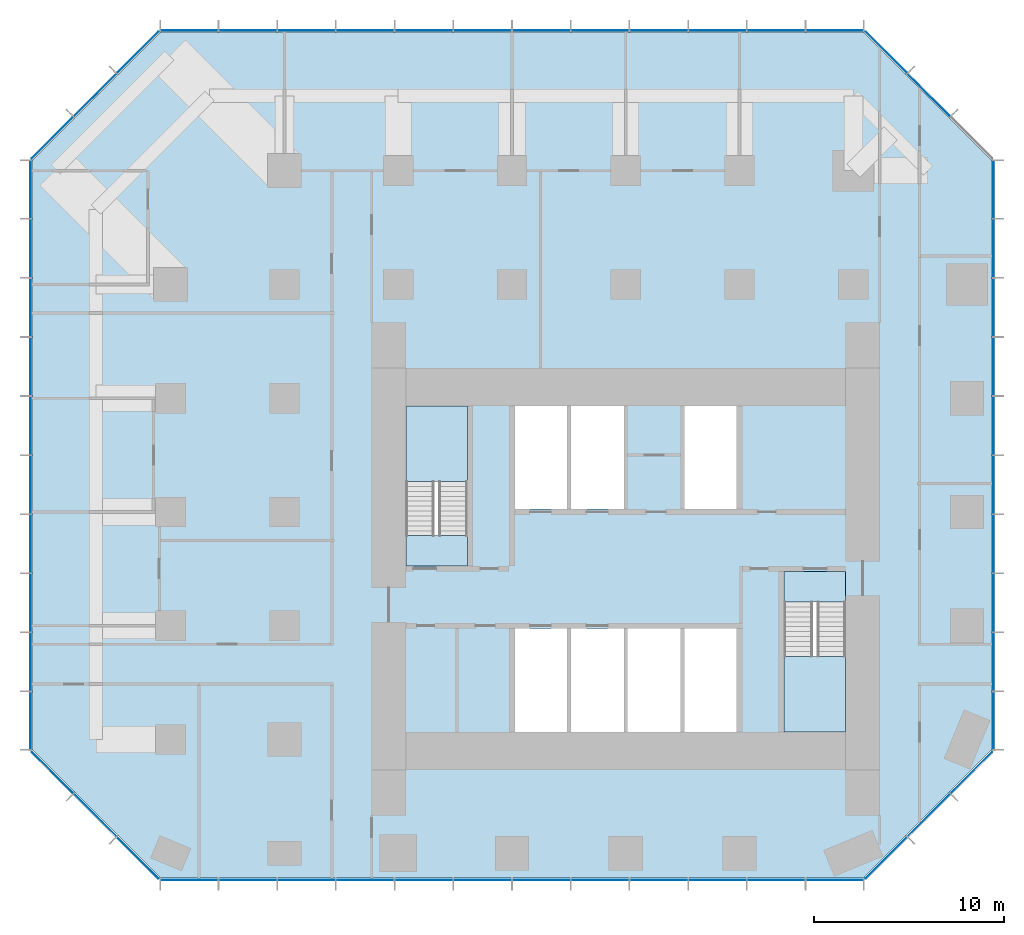
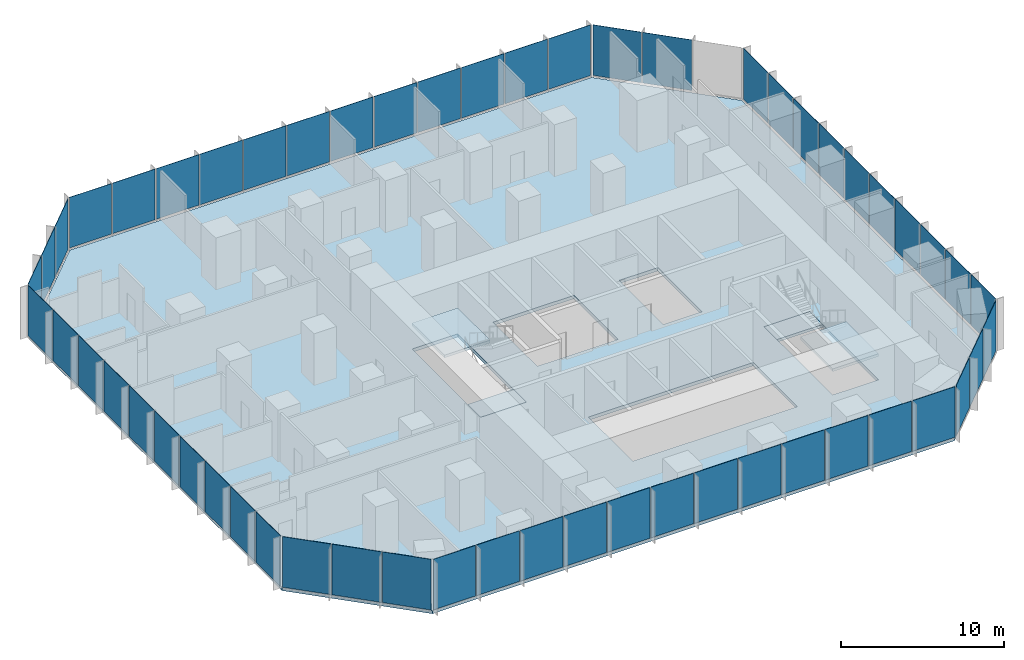
# One storey, part 7 of 11: 55 plates, 5 slabs, 10 elements without a shape of their own.
"""IFC4 building model written with IfcOpenShell, lengths in metres."""

from ifc_helpers import new_model, si_unit, direction, frame, origin, origin_2d, place, context, subcontext, project, spatial, polyline, rectangle, outline, extrude, material, layer, layer_set, type_object, element, aggregate, save


model = new_model("IFC4")

# Units and contexts
model_context = context("Model", 3, precision=1e-05, world=origin(), true_north=direction((0.0, 1.0)))
body_context = subcontext(model_context, "Body", "Model", "MODEL_VIEW")
ifc_project = project(units=[si_unit("LENGTHUNIT", "METRE"), si_unit("AREAUNIT", "SQUARE_METRE"), si_unit("VOLUMEUNIT", "CUBIC_METRE"), si_unit("PLANEANGLEUNIT", "RADIAN"), si_unit("MASSUNIT", "GRAM", prefix="KILO")], contexts=[model_context])

# Site, building, storey
site_placement = place(None, origin())
site = spatial("IfcSite", under=ifc_project, at=site_placement, CompositionType="ELEMENT")
building_placement = place(site_placement, origin())
building = spatial("IfcBuilding", under=site, at=building_placement, Name="Highveld Stack Headquarters", CompositionType="ELEMENT")
storey_placement = place(building_placement, frame((0.0, 0.0, 109.39990234375)))
storey = spatial("IfcBuildingStorey", under=building, at=storey_placement, Name="L26", CompositionType="ELEMENT", Elevation=109.39990234375)

# Curtain wall, plates
ifc_material_1 = material(Name="Aluminium bronze anodised", Category="aluminium")
ifc_layer_1 = layer(ifc_material_1, 0.199951171875)
ifc_layer_set_1 = layer_set([ifc_layer_1], Name="Aluminium bronze anodised")
curtain_wall_type_1 = type_object("IfcCurtainWallType", Name="CW1 TOWER UNITISED CURTAIN WALL", PredefinedType="NOTDEFINED", material=ifc_layer_set_1)
curtain_wall_1_placement = place(storey_placement, origin())
curtain_wall_1 = element("IfcCurtainWall", 1, at=curtain_wall_1_placement, inside=storey, type_object=curtain_wall_type_1, Name="Curtain wall CW1 L26 S", PredefinedType="NOTDEFINED")
ifc_material_2 = material(Name="Glass bronze tinted double glazed unit", Category="glass")
ifc_layer_2 = layer(ifc_material_2, 0.028076171875)
ifc_layer_set_2 = layer_set([ifc_layer_2], Name="Glass bronze tinted double glazed unit")
plate_type_1 = type_object("IfcPlateType", Name="CW1 PANEL BRONZE TINTED DOUBLE GLAZED UNIT", PredefinedType="CURTAIN_PANEL", material=ifc_layer_set_2)
plate_1_placement = place(storey_placement, frame((-17.015380859375, -13.39990234375, 0.10009765625), z_axis=(0.0, 0.0, 1.0), x_axis=(1.0, 0.0, 0.0)))
plate_1 = element("IfcPlate", 2, at=plate_1_placement, type_object=plate_type_1, Name="CW1 panel L26 1.1", PredefinedType="CURTAIN_PANEL", context=body_context, shape_type="SweptSolid", body=[
    extrude(rectangle(XDim=2.9990234375, YDim=0.028076171875, at=origin_2d()), origin(), (0.0, 0.0, 1.0), 3.800048828125),
])
plate_2_placement = place(storey_placement, frame((-13.934814453125, -13.39990234375, 0.10009765625), z_axis=(0.0, 0.0, 1.0), x_axis=(1.0, 0.0, 0.0)))
plate_2 = element("IfcPlate", 3, at=plate_2_placement, type_object=plate_type_1, Name="CW1 panel L26 2.1", PredefinedType="CURTAIN_PANEL", context=body_context, shape_type="SweptSolid", body=[
    extrude(rectangle(XDim=3.031494140625, YDim=0.028076171875, at=origin_2d()), origin(), (0.0, 0.0, 1.0), 3.800048828125),
])
plate_3_placement = place(storey_placement, frame((-10.83837890625, -13.39990234375, 0.10009765625), z_axis=(0.0, 0.0, 1.0), x_axis=(1.0, 0.0, 0.0)))
plate_3 = element("IfcPlate", 4, at=plate_3_placement, type_object=plate_type_1, Name="CW1 panel L26 3.1", PredefinedType="CURTAIN_PANEL", context=body_context, shape_type="SweptSolid", body=[
    extrude(rectangle(XDim=3.031494140625, YDim=0.028076171875, at=origin_2d()), origin(), (0.0, 0.0, 1.0), 3.800048828125),
])
plate_4_placement = place(storey_placement, frame((-7.74169921875, -13.39990234375, 0.10009765625), z_axis=(0.0, 0.0, 1.0), x_axis=(1.0, 0.0, 0.0)))
plate_4 = element("IfcPlate", 5, at=plate_4_placement, type_object=plate_type_1, Name="CW1 panel L26 4.1", PredefinedType="CURTAIN_PANEL", context=body_context, shape_type="SweptSolid", body=[
    extrude(rectangle(XDim=3.031494140625, YDim=0.028076171875, at=origin_2d()), origin(), (0.0, 0.0, 1.0), 3.800048828125),
])
plate_5_placement = place(storey_placement, frame((-4.64501953125, -13.39990234375, 0.10009765625), z_axis=(0.0, 0.0, 1.0), x_axis=(1.0, 0.0, 0.0)))
plate_5 = element("IfcPlate", 6, at=plate_5_placement, type_object=plate_type_1, Name="CW1 panel L26 5.1", PredefinedType="CURTAIN_PANEL", context=body_context, shape_type="SweptSolid", body=[
    extrude(rectangle(XDim=3.031494140625, YDim=0.028076171875, at=origin_2d()), origin(), (0.0, 0.0, 1.0), 3.800048828125),
])
plate_6_placement = place(storey_placement, frame((-1.54833984375, -13.39990234375, 0.10009765625), z_axis=(0.0, 0.0, 1.0), x_axis=(1.0, 0.0, 0.0)))
plate_6 = element("IfcPlate", 7, at=plate_6_placement, type_object=plate_type_1, Name="CW1 panel L26 6.1", PredefinedType="CURTAIN_PANEL", context=body_context, shape_type="SweptSolid", body=[
    extrude(rectangle(XDim=3.031494140625, YDim=0.028076171875, at=origin_2d()), origin(), (0.0, 0.0, 1.0), 3.800048828125),
])
plate_7_placement = place(storey_placement, frame((1.54833984375, -13.39990234375, 0.10009765625), z_axis=(0.0, 0.0, 1.0), x_axis=(1.0, 0.0, 0.0)))
plate_7 = element("IfcPlate", 8, at=plate_7_placement, type_object=plate_type_1, Name="CW1 panel L26 7.1", PredefinedType="CURTAIN_PANEL", context=body_context, shape_type="SweptSolid", body=[
    extrude(rectangle(XDim=3.03173828125, YDim=0.028076171875, at=origin_2d()), origin(), (0.0, 0.0, 1.0), 3.800048828125),
])
plate_8_placement = place(storey_placement, frame((4.64501953125, -13.39990234375, 0.10009765625), z_axis=(0.0, 0.0, 1.0), x_axis=(1.0, 0.0, 0.0)))
plate_8 = element("IfcPlate", 9, at=plate_8_placement, type_object=plate_type_1, Name="CW1 panel L26 8.1", PredefinedType="CURTAIN_PANEL", context=body_context, shape_type="SweptSolid", body=[
    extrude(rectangle(XDim=3.03173828125, YDim=0.028076171875, at=origin_2d()), origin(), (0.0, 0.0, 1.0), 3.800048828125),
])
plate_9_placement = place(storey_placement, frame((7.74169921875, -13.39990234375, 0.10009765625), z_axis=(0.0, 0.0, 1.0), x_axis=(1.0, 0.0, 0.0)))
plate_9 = element("IfcPlate", 10, at=plate_9_placement, type_object=plate_type_1, Name="CW1 panel L26 9.1", PredefinedType="CURTAIN_PANEL", context=body_context, shape_type="SweptSolid", body=[
    extrude(rectangle(XDim=3.03173828125, YDim=0.028076171875, at=origin_2d()), origin(), (0.0, 0.0, 1.0), 3.800048828125),
])
plate_10_placement = place(storey_placement, frame((10.83837890625, -13.39990234375, 0.10009765625), z_axis=(0.0, 0.0, 1.0), x_axis=(1.0, 0.0, 0.0)))
plate_10 = element("IfcPlate", 11, at=plate_10_placement, type_object=plate_type_1, Name="CW1 panel L26 10.1", PredefinedType="CURTAIN_PANEL", context=body_context, shape_type="SweptSolid", body=[
    extrude(rectangle(XDim=3.03173828125, YDim=0.028076171875, at=origin_2d()), origin(), (0.0, 0.0, 1.0), 3.800048828125),
])
plate_11_placement = place(storey_placement, frame((13.934814453125, -13.39990234375, 0.10009765625), z_axis=(0.0, 0.0, 1.0), x_axis=(1.0, 0.0, 0.0)))
plate_11 = element("IfcPlate", 12, at=plate_11_placement, type_object=plate_type_1, Name="CW1 panel L26 11.1", PredefinedType="CURTAIN_PANEL", context=body_context, shape_type="SweptSolid", body=[
    extrude(rectangle(XDim=3.03173828125, YDim=0.028076171875, at=origin_2d()), origin(), (0.0, 0.0, 1.0), 3.800048828125),
])
plate_12_placement = place(storey_placement, frame((17.015380859375, -13.39990234375, 0.10009765625), z_axis=(0.0, 0.0, 1.0), x_axis=(1.0, 0.0, 0.0)))
plate_12 = element("IfcPlate", 13, at=plate_12_placement, type_object=plate_type_1, Name="CW1 panel L26 12.1", PredefinedType="CURTAIN_PANEL", context=body_context, shape_type="SweptSolid", body=[
    extrude(rectangle(XDim=2.999267578125, YDim=0.028076171875, at=origin_2d()), origin(), (0.0, 0.0, 1.0), 3.800048828125),
])
aggregate(curtain_wall_1, [plate_1, plate_2, plate_3, plate_4, plate_5, plate_6, plate_7, plate_8, plate_9, plate_10, plate_11, plate_12])

curtain_wall_2_placement = place(storey_placement, origin())
curtain_wall_2 = element("IfcCurtainWall", 14, at=curtain_wall_2_placement, inside=storey, type_object=curtain_wall_type_1, Name="Curtain wall CW1 L26 E", PredefinedType="NOTDEFINED")
plate_13_placement = place(storey_placement, frame((25.39990234375, -5.005615234375, 0.10009765625), z_axis=(0.0, 0.0, 1.0), x_axis=(0.0, 1.0, 0.0)))
plate_13 = element("IfcPlate", 15, at=plate_13_placement, type_object=plate_type_1, Name="CW1 panel L26 1.1", PredefinedType="CURTAIN_PANEL", context=body_context, shape_type="SweptSolid", body=[
    extrude(rectangle(XDim=3.0185546875, YDim=0.028076171875, at=origin_2d()), origin(), (0.0, 0.0, 1.0), 3.800048828125),
])
plate_14_placement = place(storey_placement, frame((25.39990234375, -1.906005859375, 0.10009765625), z_axis=(0.0, 0.0, 1.0), x_axis=(0.0, 1.0, 0.0)))
plate_14 = element("IfcPlate", 16, at=plate_14_placement, type_object=plate_type_1, Name="CW1 panel L26 2.1", PredefinedType="CURTAIN_PANEL", context=body_context, shape_type="SweptSolid", body=[
    extrude(rectangle(XDim=3.051025390625, YDim=0.028076171875, at=origin_2d()), origin(), (0.0, 0.0, 1.0), 3.800048828125),
])
plate_15_placement = place(storey_placement, frame((25.39990234375, 1.2099609375, 0.10009765625), z_axis=(0.0, 0.0, 1.0), x_axis=(0.0, 1.0, 0.0)))
plate_15 = element("IfcPlate", 17, at=plate_15_placement, type_object=plate_type_1, Name="CW1 panel L26 3.1", PredefinedType="CURTAIN_PANEL", context=body_context, shape_type="SweptSolid", body=[
    extrude(rectangle(XDim=3.051025390625, YDim=0.028076171875, at=origin_2d()), origin(), (0.0, 0.0, 1.0), 3.800048828125),
])
plate_16_placement = place(storey_placement, frame((25.39990234375, 4.325927734375, 0.10009765625), z_axis=(0.0, 0.0, 1.0), x_axis=(0.0, 1.0, 0.0)))
plate_16 = element("IfcPlate", 18, at=plate_16_placement, type_object=plate_type_1, Name="CW1 panel L26 4.1", PredefinedType="CURTAIN_PANEL", context=body_context, shape_type="SweptSolid", body=[
    extrude(rectangle(XDim=3.051025390625, YDim=0.028076171875, at=origin_2d()), origin(), (0.0, 0.0, 1.0), 3.800048828125),
])
plate_17_placement = place(storey_placement, frame((25.39990234375, 7.44189453125, 0.10009765625), z_axis=(0.0, 0.0, 1.0), x_axis=(0.0, 1.0, 0.0)))
plate_17 = element("IfcPlate", 19, at=plate_17_placement, type_object=plate_type_1, Name="CW1 panel L26 5.1", PredefinedType="CURTAIN_PANEL", context=body_context, shape_type="SweptSolid", body=[
    extrude(rectangle(XDim=3.051025390625, YDim=0.028076171875, at=origin_2d()), origin(), (0.0, 0.0, 1.0), 3.800048828125),
])
plate_18_placement = place(storey_placement, frame((25.39990234375, 10.55810546875, 0.10009765625), z_axis=(0.0, 0.0, 1.0), x_axis=(0.0, 1.0, 0.0)))
plate_18 = element("IfcPlate", 20, at=plate_18_placement, type_object=plate_type_1, Name="CW1 panel L26 6.1", PredefinedType="CURTAIN_PANEL", context=body_context, shape_type="SweptSolid", body=[
    extrude(rectangle(XDim=3.051025390625, YDim=0.028076171875, at=origin_2d()), origin(), (0.0, 0.0, 1.0), 3.800048828125),
])
plate_19_placement = place(storey_placement, frame((25.39990234375, 13.674072265625, 0.10009765625), z_axis=(0.0, 0.0, 1.0), x_axis=(0.0, 1.0, 0.0)))
plate_19 = element("IfcPlate", 21, at=plate_19_placement, type_object=plate_type_1, Name="CW1 panel L26 7.1", PredefinedType="CURTAIN_PANEL", context=body_context, shape_type="SweptSolid", body=[
    extrude(rectangle(XDim=3.051025390625, YDim=0.028076171875, at=origin_2d()), origin(), (0.0, 0.0, 1.0), 3.800048828125),
])
plate_20_placement = place(storey_placement, frame((25.39990234375, 16.789794921875, 0.10009765625), z_axis=(0.0, 0.0, 1.0), x_axis=(0.0, 1.0, 0.0)))
plate_20 = element("IfcPlate", 22, at=plate_20_placement, type_object=plate_type_1, Name="CW1 panel L26 8.1", PredefinedType="CURTAIN_PANEL", context=body_context, shape_type="SweptSolid", body=[
    extrude(rectangle(XDim=3.051025390625, YDim=0.028076171875, at=origin_2d()), origin(), (0.0, 0.0, 1.0), 3.800048828125),
])
plate_21_placement = place(storey_placement, frame((25.39990234375, 19.906005859375, 0.10009765625), z_axis=(0.0, 0.0, 1.0), x_axis=(0.0, 1.0, 0.0)))
plate_21 = element("IfcPlate", 23, at=plate_21_placement, type_object=plate_type_1, Name="CW1 panel L26 9.1", PredefinedType="CURTAIN_PANEL", context=body_context, shape_type="SweptSolid", body=[
    extrude(rectangle(XDim=3.051025390625, YDim=0.028076171875, at=origin_2d()), origin(), (0.0, 0.0, 1.0), 3.800048828125),
])
plate_22_placement = place(storey_placement, frame((25.39990234375, 23.005615234375, 0.10009765625), z_axis=(0.0, 0.0, 1.0), x_axis=(0.0, 1.0, 0.0)))
plate_22 = element("IfcPlate", 24, at=plate_22_placement, type_object=plate_type_1, Name="CW1 panel L26 10.1", PredefinedType="CURTAIN_PANEL", context=body_context, shape_type="SweptSolid", body=[
    extrude(rectangle(XDim=3.0185546875, YDim=0.028076171875, at=origin_2d()), origin(), (0.0, 0.0, 1.0), 3.800048828125),
])
aggregate(curtain_wall_2, [plate_13, plate_14, plate_15, plate_16, plate_17, plate_18, plate_19, plate_20, plate_21, plate_22])

curtain_wall_3_placement = place(storey_placement, origin())
curtain_wall_3 = element("IfcCurtainWall", 25, at=curtain_wall_3_placement, inside=storey, type_object=curtain_wall_type_1, Name="Curtain wall CW1 L26 N", PredefinedType="NOTDEFINED")
plate_23_placement = place(storey_placement, frame((17.015380859375, 31.39990234375, 0.10009765625), z_axis=(0.0, 0.0, 1.0), x_axis=(-1.0, 0.0, 0.0)))
plate_23 = element("IfcPlate", 26, at=plate_23_placement, type_object=plate_type_1, Name="CW1 panel L26 1.1", PredefinedType="CURTAIN_PANEL", context=body_context, shape_type="SweptSolid", body=[
    extrude(rectangle(XDim=2.9990234375, YDim=0.028076171875, at=origin_2d()), origin(), (0.0, 0.0, 1.0), 3.800048828125),
])
plate_24_placement = place(storey_placement, frame((13.934814453125, 31.39990234375, 0.10009765625), z_axis=(0.0, 0.0, 1.0), x_axis=(-1.0, 0.0, 0.0)))
plate_24 = element("IfcPlate", 27, at=plate_24_placement, type_object=plate_type_1, Name="CW1 panel L26 2.1", PredefinedType="CURTAIN_PANEL", context=body_context, shape_type="SweptSolid", body=[
    extrude(rectangle(XDim=3.031494140625, YDim=0.028076171875, at=origin_2d()), origin(), (0.0, 0.0, 1.0), 3.800048828125),
])
plate_25_placement = place(storey_placement, frame((10.83837890625, 31.39990234375, 0.10009765625), z_axis=(0.0, 0.0, 1.0), x_axis=(-1.0, 0.0, 0.0)))
plate_25 = element("IfcPlate", 28, at=plate_25_placement, type_object=plate_type_1, Name="CW1 panel L26 3.1", PredefinedType="CURTAIN_PANEL", context=body_context, shape_type="SweptSolid", body=[
    extrude(rectangle(XDim=3.031494140625, YDim=0.028076171875, at=origin_2d()), origin(), (0.0, 0.0, 1.0), 3.800048828125),
])
plate_26_placement = place(storey_placement, frame((7.74169921875, 31.39990234375, 0.10009765625), z_axis=(0.0, 0.0, 1.0), x_axis=(-1.0, 0.0, 0.0)))
plate_26 = element("IfcPlate", 29, at=plate_26_placement, type_object=plate_type_1, Name="CW1 panel L26 4.1", PredefinedType="CURTAIN_PANEL", context=body_context, shape_type="SweptSolid", body=[
    extrude(rectangle(XDim=3.031494140625, YDim=0.028076171875, at=origin_2d()), origin(), (0.0, 0.0, 1.0), 3.800048828125),
])
plate_27_placement = place(storey_placement, frame((4.64501953125, 31.39990234375, 0.10009765625), z_axis=(0.0, 0.0, 1.0), x_axis=(-1.0, 0.0, 0.0)))
plate_27 = element("IfcPlate", 30, at=plate_27_placement, type_object=plate_type_1, Name="CW1 panel L26 5.1", PredefinedType="CURTAIN_PANEL", context=body_context, shape_type="SweptSolid", body=[
    extrude(rectangle(XDim=3.031494140625, YDim=0.028076171875, at=origin_2d()), origin(), (0.0, 0.0, 1.0), 3.800048828125),
])
plate_28_placement = place(storey_placement, frame((1.54833984375, 31.39990234375, 0.10009765625), z_axis=(0.0, 0.0, 1.0), x_axis=(-1.0, 0.0, 0.0)))
plate_28 = element("IfcPlate", 31, at=plate_28_placement, type_object=plate_type_1, Name="CW1 panel L26 6.1", PredefinedType="CURTAIN_PANEL", context=body_context, shape_type="SweptSolid", body=[
    extrude(rectangle(XDim=3.031494140625, YDim=0.028076171875, at=origin_2d()), origin(), (0.0, 0.0, 1.0), 3.800048828125),
])
plate_29_placement = place(storey_placement, frame((-1.54833984375, 31.39990234375, 0.10009765625), z_axis=(0.0, 0.0, 1.0), x_axis=(-1.0, 0.0, 0.0)))
plate_29 = element("IfcPlate", 32, at=plate_29_placement, type_object=plate_type_1, Name="CW1 panel L26 7.1", PredefinedType="CURTAIN_PANEL", context=body_context, shape_type="SweptSolid", body=[
    extrude(rectangle(XDim=3.03173828125, YDim=0.028076171875, at=origin_2d()), origin(), (0.0, 0.0, 1.0), 3.800048828125),
])
plate_30_placement = place(storey_placement, frame((-4.64501953125, 31.39990234375, 0.10009765625), z_axis=(0.0, 0.0, 1.0), x_axis=(-1.0, 0.0, 0.0)))
plate_30 = element("IfcPlate", 33, at=plate_30_placement, type_object=plate_type_1, Name="CW1 panel L26 8.1", PredefinedType="CURTAIN_PANEL", context=body_context, shape_type="SweptSolid", body=[
    extrude(rectangle(XDim=3.03173828125, YDim=0.028076171875, at=origin_2d()), origin(), (0.0, 0.0, 1.0), 3.800048828125),
])
plate_31_placement = place(storey_placement, frame((-7.74169921875, 31.39990234375, 0.10009765625), z_axis=(0.0, 0.0, 1.0), x_axis=(-1.0, 0.0, 0.0)))
plate_31 = element("IfcPlate", 34, at=plate_31_placement, type_object=plate_type_1, Name="CW1 panel L26 9.1", PredefinedType="CURTAIN_PANEL", context=body_context, shape_type="SweptSolid", body=[
    extrude(rectangle(XDim=3.03173828125, YDim=0.028076171875, at=origin_2d()), origin(), (0.0, 0.0, 1.0), 3.800048828125),
])
plate_32_placement = place(storey_placement, frame((-10.83837890625, 31.39990234375, 0.10009765625), z_axis=(0.0, 0.0, 1.0), x_axis=(-1.0, 0.0, 0.0)))
plate_32 = element("IfcPlate", 35, at=plate_32_placement, type_object=plate_type_1, Name="CW1 panel L26 10.1", PredefinedType="CURTAIN_PANEL", context=body_context, shape_type="SweptSolid", body=[
    extrude(rectangle(XDim=3.03173828125, YDim=0.028076171875, at=origin_2d()), origin(), (0.0, 0.0, 1.0), 3.800048828125),
])
plate_33_placement = place(storey_placement, frame((-13.934814453125, 31.39990234375, 0.10009765625), z_axis=(0.0, 0.0, 1.0), x_axis=(-1.0, 0.0, 0.0)))
plate_33 = element("IfcPlate", 36, at=plate_33_placement, type_object=plate_type_1, Name="CW1 panel L26 11.1", PredefinedType="CURTAIN_PANEL", context=body_context, shape_type="SweptSolid", body=[
    extrude(rectangle(XDim=3.03173828125, YDim=0.028076171875, at=origin_2d()), origin(), (0.0, 0.0, 1.0), 3.800048828125),
])
plate_34_placement = place(storey_placement, frame((-17.015380859375, 31.39990234375, 0.10009765625), z_axis=(0.0, 0.0, 1.0), x_axis=(-1.0, 0.0, 0.0)))
plate_34 = element("IfcPlate", 37, at=plate_34_placement, type_object=plate_type_1, Name="CW1 panel L26 12.1", PredefinedType="CURTAIN_PANEL", context=body_context, shape_type="SweptSolid", body=[
    extrude(rectangle(XDim=2.999267578125, YDim=0.028076171875, at=origin_2d()), origin(), (0.0, 0.0, 1.0), 3.800048828125),
])
aggregate(curtain_wall_3, [plate_23, plate_24, plate_25, plate_26, plate_27, plate_28, plate_29, plate_30, plate_31, plate_32, plate_33, plate_34])

curtain_wall_4_placement = place(storey_placement, origin())
curtain_wall_4 = element("IfcCurtainWall", 38, at=curtain_wall_4_placement, inside=storey, type_object=curtain_wall_type_1, Name="Curtain wall CW1 L26 W", PredefinedType="NOTDEFINED")
plate_35_placement = place(storey_placement, frame((-25.39990234375, 23.005615234375, 0.10009765625), z_axis=(0.0, 0.0, 1.0), x_axis=(0.0, -1.0, 0.0)))
plate_35 = element("IfcPlate", 39, at=plate_35_placement, type_object=plate_type_1, Name="CW1 panel L26 1.1", PredefinedType="CURTAIN_PANEL", context=body_context, shape_type="SweptSolid", body=[
    extrude(rectangle(XDim=3.0185546875, YDim=0.028076171875, at=origin_2d()), origin(), (0.0, 0.0, 1.0), 3.800048828125),
])
plate_36_placement = place(storey_placement, frame((-25.39990234375, 19.906005859375, 0.10009765625), z_axis=(0.0, 0.0, 1.0), x_axis=(0.0, -1.0, 0.0)))
plate_36 = element("IfcPlate", 40, at=plate_36_placement, type_object=plate_type_1, Name="CW1 panel L26 2.1", PredefinedType="CURTAIN_PANEL", context=body_context, shape_type="SweptSolid", body=[
    extrude(rectangle(XDim=3.051025390625, YDim=0.028076171875, at=origin_2d()), origin(), (0.0, 0.0, 1.0), 3.800048828125),
])
plate_37_placement = place(storey_placement, frame((-25.39990234375, 16.7900390625, 0.10009765625), z_axis=(0.0, 0.0, 1.0), x_axis=(0.0, -1.0, 0.0)))
plate_37 = element("IfcPlate", 41, at=plate_37_placement, type_object=plate_type_1, Name="CW1 panel L26 3.1", PredefinedType="CURTAIN_PANEL", context=body_context, shape_type="SweptSolid", body=[
    extrude(rectangle(XDim=3.051025390625, YDim=0.028076171875, at=origin_2d()), origin(), (0.0, 0.0, 1.0), 3.800048828125),
])
plate_38_placement = place(storey_placement, frame((-25.39990234375, 13.674072265625, 0.10009765625), z_axis=(0.0, 0.0, 1.0), x_axis=(0.0, -1.0, 0.0)))
plate_38 = element("IfcPlate", 42, at=plate_38_placement, type_object=plate_type_1, Name="CW1 panel L26 4.1", PredefinedType="CURTAIN_PANEL", context=body_context, shape_type="SweptSolid", body=[
    extrude(rectangle(XDim=3.051025390625, YDim=0.028076171875, at=origin_2d()), origin(), (0.0, 0.0, 1.0), 3.800048828125),
])
plate_39_placement = place(storey_placement, frame((-25.39990234375, 10.55810546875, 0.10009765625), z_axis=(0.0, 0.0, 1.0), x_axis=(0.0, -1.0, 0.0)))
plate_39 = element("IfcPlate", 43, at=plate_39_placement, type_object=plate_type_1, Name="CW1 panel L26 5.1", PredefinedType="CURTAIN_PANEL", context=body_context, shape_type="SweptSolid", body=[
    extrude(rectangle(XDim=3.051025390625, YDim=0.028076171875, at=origin_2d()), origin(), (0.0, 0.0, 1.0), 3.800048828125),
])
plate_40_placement = place(storey_placement, frame((-25.39990234375, 7.44189453125, 0.10009765625), z_axis=(0.0, 0.0, 1.0), x_axis=(0.0, -1.0, 0.0)))
plate_40 = element("IfcPlate", 44, at=plate_40_placement, type_object=plate_type_1, Name="CW1 panel L26 6.1", PredefinedType="CURTAIN_PANEL", context=body_context, shape_type="SweptSolid", body=[
    extrude(rectangle(XDim=3.051025390625, YDim=0.028076171875, at=origin_2d()), origin(), (0.0, 0.0, 1.0), 3.800048828125),
])
plate_41_placement = place(storey_placement, frame((-25.39990234375, 4.325927734375, 0.10009765625), z_axis=(0.0, 0.0, 1.0), x_axis=(0.0, -1.0, 0.0)))
plate_41 = element("IfcPlate", 45, at=plate_41_placement, type_object=plate_type_1, Name="CW1 panel L26 7.1", PredefinedType="CURTAIN_PANEL", context=body_context, shape_type="SweptSolid", body=[
    extrude(rectangle(XDim=3.051025390625, YDim=0.028076171875, at=origin_2d()), origin(), (0.0, 0.0, 1.0), 3.800048828125),
])
plate_42_placement = place(storey_placement, frame((-25.39990234375, 1.210205078125, 0.10009765625), z_axis=(0.0, 0.0, 1.0), x_axis=(0.0, -1.0, 0.0)))
plate_42 = element("IfcPlate", 46, at=plate_42_placement, type_object=plate_type_1, Name="CW1 panel L26 8.1", PredefinedType="CURTAIN_PANEL", context=body_context, shape_type="SweptSolid", body=[
    extrude(rectangle(XDim=3.051025390625, YDim=0.028076171875, at=origin_2d()), origin(), (0.0, 0.0, 1.0), 3.800048828125),
])
plate_43_placement = place(storey_placement, frame((-25.39990234375, -1.906005859375, 0.10009765625), z_axis=(0.0, 0.0, 1.0), x_axis=(0.0, -1.0, 0.0)))
plate_43 = element("IfcPlate", 47, at=plate_43_placement, type_object=plate_type_1, Name="CW1 panel L26 9.1", PredefinedType="CURTAIN_PANEL", context=body_context, shape_type="SweptSolid", body=[
    extrude(rectangle(XDim=3.051025390625, YDim=0.028076171875, at=origin_2d()), origin(), (0.0, 0.0, 1.0), 3.800048828125),
])
plate_44_placement = place(storey_placement, frame((-25.39990234375, -5.005615234375, 0.10009765625), z_axis=(0.0, 0.0, 1.0), x_axis=(0.0, -1.0, 0.0)))
plate_44 = element("IfcPlate", 48, at=plate_44_placement, type_object=plate_type_1, Name="CW1 panel L26 10.1", PredefinedType="CURTAIN_PANEL", context=body_context, shape_type="SweptSolid", body=[
    extrude(rectangle(XDim=3.0185546875, YDim=0.028076171875, at=origin_2d()), origin(), (0.0, 0.0, 1.0), 3.800048828125),
])
aggregate(curtain_wall_4, [plate_35, plate_36, plate_37, plate_38, plate_39, plate_40, plate_41, plate_42, plate_43, plate_44])

ifc_material_3 = material(Name="Aluminium bronze anodised", Category="aluminium")
ifc_layer_3 = layer(ifc_material_3, 0.199951171875)
ifc_layer_set_3 = layer_set([ifc_layer_3], Name="Aluminium bronze anodised")
curtain_wall_type_2 = type_object("IfcCurtainWallType", Name="CW2 TOWER CHAMFER UNITISED CURTAIN WALL", PredefinedType="NOTDEFINED", material=ifc_layer_set_3)
curtain_wall_5_placement = place(storey_placement, origin())
curtain_wall_5 = element("IfcCurtainWall", 49, at=curtain_wall_5_placement, inside=storey, type_object=curtain_wall_type_2, Name="Curtain wall CW2 L26 SE", PredefinedType="NOTDEFINED")
ifc_material_4 = material(Name="Glass bronze tinted double glazed unit", Category="glass")
ifc_layer_4 = layer(ifc_material_4, 0.028076171875)
ifc_layer_set_4 = layer_set([ifc_layer_4], Name="Glass bronze tinted double glazed unit")
plate_type_2 = type_object("IfcPlateType", Name="CW2 PANEL BRONZE TINTED DOUBLE GLAZED UNIT", PredefinedType="CURTAIN_PANEL", material=ifc_layer_set_4)
plate_45_placement = place(storey_placement, frame((19.740478515625, -12.239501953125, 0.10009765625), z_axis=(0.0, 0.0, 1.0), x_axis=(0.707106781187, 0.707106781187, 0.0)))
plate_45 = element("IfcPlate", 50, at=plate_45_placement, type_object=plate_type_2, Name="CW2 panel L26 1.1", PredefinedType="CURTAIN_PANEL", context=body_context, shape_type="SweptSolid", body=[
    extrude(rectangle(XDim=3.08251953125, YDim=0.028076171875, at=origin_2d()), origin(), (0.0, 0.0, 1.0), 3.800048828125),
])
plate_46_placement = place(storey_placement, frame((21.989990234375, -9.989990234375, 0.10009765625), z_axis=(0.0, 0.0, 1.0), x_axis=(0.707106781187, 0.707106781187, 0.0)))
plate_46 = element("IfcPlate", 51, at=plate_46_placement, type_object=plate_type_2, Name="CW2 panel L26 2.1", PredefinedType="CURTAIN_PANEL", context=body_context, shape_type="SweptSolid", body=[
    extrude(rectangle(XDim=3.14990234375, YDim=0.028076171875, at=origin_2d()), origin(), (0.0, 0.0, 1.0), 3.800048828125),
])
plate_47_placement = place(storey_placement, frame((24.239501953125, -7.740478515625, 0.10009765625), z_axis=(0.0, 0.0, 1.0), x_axis=(0.707106781187, 0.707106781187, 0.0)))
plate_47 = element("IfcPlate", 52, at=plate_47_placement, type_object=plate_type_2, Name="CW2 panel L26 3.1", PredefinedType="CURTAIN_PANEL", context=body_context, shape_type="SweptSolid", body=[
    extrude(rectangle(XDim=3.08251953125, YDim=0.028076171875, at=origin_2d()), origin(), (0.0, 0.0, 1.0), 3.800048828125),
])
aggregate(curtain_wall_5, [plate_45, plate_46, plate_47])

curtain_wall_6_placement = place(storey_placement, origin())
curtain_wall_6 = element("IfcCurtainWall", 53, at=curtain_wall_6_placement, inside=storey, type_object=curtain_wall_type_2, Name="Curtain wall CW2 L26 NE", PredefinedType="NOTDEFINED")
plate_48_placement = place(storey_placement, frame((21.989990234375, 27.989990234375, 0.10009765625), z_axis=(0.0, 0.0, 1.0), x_axis=(-0.707106781187, 0.707106781187, 0.0)))
plate_48 = element("IfcPlate", 54, at=plate_48_placement, type_object=plate_type_2, Name="CW2 panel L26 2.1", PredefinedType="CURTAIN_PANEL", context=body_context, shape_type="SweptSolid", body=[
    extrude(rectangle(XDim=3.14990234375, YDim=0.028076171875, at=origin_2d()), origin(), (0.0, 0.0, 1.0), 3.800048828125),
])
plate_49_placement = place(storey_placement, frame((19.740478515625, 30.239501953125, 0.10009765625), z_axis=(0.0, 0.0, 1.0), x_axis=(-0.707106781187, 0.707106781187, 0.0)))
plate_49 = element("IfcPlate", 55, at=plate_49_placement, type_object=plate_type_2, Name="CW2 panel L26 3.1", PredefinedType="CURTAIN_PANEL", context=body_context, shape_type="SweptSolid", body=[
    extrude(rectangle(XDim=3.08251953125, YDim=0.028076171875, at=origin_2d()), origin(), (0.0, 0.0, 1.0), 3.800048828125),
])
aggregate(curtain_wall_6, [plate_48, plate_49])

curtain_wall_7_placement = place(storey_placement, origin())
curtain_wall_7 = element("IfcCurtainWall", 56, at=curtain_wall_7_placement, inside=storey, type_object=curtain_wall_type_2, Name="Curtain wall CW2 L26 NW", PredefinedType="NOTDEFINED")
plate_50_placement = place(storey_placement, frame((-19.740478515625, 30.239501953125, 0.10009765625), z_axis=(0.0, 0.0, 1.0), x_axis=(-0.707106781187, -0.707106781187, 0.0)))
plate_50 = element("IfcPlate", 57, at=plate_50_placement, type_object=plate_type_2, Name="CW2 panel L26 1.1", PredefinedType="CURTAIN_PANEL", context=body_context, shape_type="SweptSolid", body=[
    extrude(rectangle(XDim=3.08251953125, YDim=0.028076171875, at=origin_2d()), origin(), (0.0, 0.0, 1.0), 3.800048828125),
])
plate_51_placement = place(storey_placement, frame((-21.989990234375, 27.989990234375, 0.10009765625), z_axis=(0.0, 0.0, 1.0), x_axis=(-0.707106781187, -0.707106781187, 0.0)))
plate_51 = element("IfcPlate", 58, at=plate_51_placement, type_object=plate_type_2, Name="CW2 panel L26 2.1", PredefinedType="CURTAIN_PANEL", context=body_context, shape_type="SweptSolid", body=[
    extrude(rectangle(XDim=3.14990234375, YDim=0.028076171875, at=origin_2d()), origin(), (0.0, 0.0, 1.0), 3.800048828125),
])
plate_52_placement = place(storey_placement, frame((-24.239501953125, 25.740478515625, 0.10009765625), z_axis=(0.0, 0.0, 1.0), x_axis=(-0.707106781187, -0.707106781187, 0.0)))
plate_52 = element("IfcPlate", 59, at=plate_52_placement, type_object=plate_type_2, Name="CW2 panel L26 3.1", PredefinedType="CURTAIN_PANEL", context=body_context, shape_type="SweptSolid", body=[
    extrude(rectangle(XDim=3.08251953125, YDim=0.028076171875, at=origin_2d()), origin(), (0.0, 0.0, 1.0), 3.800048828125),
])
aggregate(curtain_wall_7, [plate_50, plate_51, plate_52])

curtain_wall_8_placement = place(storey_placement, origin())
curtain_wall_8 = element("IfcCurtainWall", 60, at=curtain_wall_8_placement, inside=storey, type_object=curtain_wall_type_2, Name="Curtain wall CW2 L26 SW", PredefinedType="NOTDEFINED")
plate_53_placement = place(storey_placement, frame((-24.239501953125, -7.740478515625, 0.10009765625), z_axis=(0.0, 0.0, 1.0), x_axis=(0.707106781187, -0.707106781187, 0.0)))
plate_53 = element("IfcPlate", 61, at=plate_53_placement, type_object=plate_type_2, Name="CW2 panel L26 1.1", PredefinedType="CURTAIN_PANEL", context=body_context, shape_type="SweptSolid", body=[
    extrude(rectangle(XDim=3.08251953125, YDim=0.028076171875, at=origin_2d()), origin(), (0.0, 0.0, 1.0), 3.800048828125),
])
plate_54_placement = place(storey_placement, frame((-21.989990234375, -9.989990234375, 0.10009765625), z_axis=(0.0, 0.0, 1.0), x_axis=(0.707106781187, -0.707106781187, 0.0)))
plate_54 = element("IfcPlate", 62, at=plate_54_placement, type_object=plate_type_2, Name="CW2 panel L26 2.1", PredefinedType="CURTAIN_PANEL", context=body_context, shape_type="SweptSolid", body=[
    extrude(rectangle(XDim=3.14990234375, YDim=0.028076171875, at=origin_2d()), origin(), (0.0, 0.0, 1.0), 3.800048828125),
])
plate_55_placement = place(storey_placement, frame((-19.740478515625, -12.239501953125, 0.10009765625), z_axis=(0.0, 0.0, 1.0), x_axis=(0.707106781187, -0.707106781187, 0.0)))
plate_55 = element("IfcPlate", 63, at=plate_55_placement, type_object=plate_type_2, Name="CW2 panel L26 3.1", PredefinedType="CURTAIN_PANEL", context=body_context, shape_type="SweptSolid", body=[
    extrude(rectangle(XDim=3.08251953125, YDim=0.028076171875, at=origin_2d()), origin(), (0.0, 0.0, 1.0), 3.800048828125),
])
aggregate(curtain_wall_8, [plate_53, plate_54, plate_55])

# Slab
ifc_material_5 = material(Name="Concrete C60/75", Category="concrete")
ifc_layer_5 = layer(ifc_material_5, 0.25)
ifc_layer_set_5 = layer_set([ifc_layer_5], Name="Concrete C60/75")
slab_type_1 = type_object("IfcSlabType", Name="PT FLAT SLAB 250", PredefinedType="FLOOR", material=ifc_layer_set_5)
slab_1_placement = place(storey_placement, frame((0.0, 0.0, -0.25)))
element("IfcSlab", 64, at=slab_1_placement, inside=storey, type_object=slab_type_1, Name="Floor slab L26", PredefinedType="FLOOR", context=body_context, shape_type="SweptSolid", body=[
    extrude(outline(polyline([(-18.53857421875, -13.300048828125), (18.53857421875, -13.300048828125), (25.300048828125, -6.53857421875), (25.300048828125, 24.53857421875), (18.53857421875, 31.300048828125), (-18.53857421875, 31.300048828125), (-25.300048828125, 24.53857421875), (-25.300048828125, -6.53857421875), (-18.53857421875, -13.300048828125)]), holes=[polyline([(0.14990234375, 6.14990234375), (5.89990234375, 6.14990234375), (5.89990234375, 11.60009765625), (0.14990234375, 11.60009765625), (0.14990234375, 6.14990234375)]), polyline([(9.10009765625, 6.14990234375), (11.85009765625, 6.14990234375), (11.85009765625, 11.60009765625), (9.10009765625, 11.60009765625), (9.10009765625, 6.14990234375)]), polyline([(0.14990234375, -5.60009765625), (11.85009765625, -5.60009765625), (11.85009765625, -0.14990234375), (0.14990234375, -0.14990234375), (0.14990234375, -5.60009765625)]), polyline([(-5.60009765625, 3.14990234375), (-2.35009765625, 3.14990234375), (-2.35009765625, 11.60009765625), (-5.60009765625, 11.60009765625), (-5.60009765625, 3.14990234375)]), polyline([(14.35009765625, -5.60009765625), (17.60009765625, -5.60009765625), (17.60009765625, 2.85009765625), (14.35009765625, 2.85009765625), (14.35009765625, -5.60009765625)])]), origin(), (0.0, 0.0, 1.0), 0.25),
])

# Stair, slabs
ifc_material_6 = material(Name="Concrete C40/50, precast", Category="concrete")
stair_type_1 = type_object("IfcStairType", Name="STAIR S1 HALF TURN 1500", PredefinedType="HALF_TURN_STAIR", material=ifc_material_6)
stair_1_placement = place(storey_placement, origin())
stair_1 = element("IfcStair", 65, at=stair_1_placement, inside=storey, type_object=stair_type_1, Name="Stair S1 L26", PredefinedType="HALF_TURN_STAIR")
ifc_material_7 = material(Name="Concrete C40/50, precast", Category="concrete")
ifc_layer_6 = layer(ifc_material_7, 0.199951171875)
ifc_layer_set_6 = layer_set([ifc_layer_6], Name="Concrete C40/50, precast")
slab_type_2 = type_object("IfcSlabType", Name="STAIR LANDING 200", PredefinedType="LANDING", material=ifc_layer_set_6)
slab_2_placement = place(storey_placement, frame((0.0, 0.0, 1.75)))
slab_2 = element("IfcSlab", 66, at=slab_2_placement, type_object=slab_type_2, Name="S1 landing 1", PredefinedType="LANDING", context=body_context, shape_type="SweptSolid", body=[
    extrude(outline(polyline([(-5.60009765625, 7.610107421875), (-2.35009765625, 7.610107421875), (-2.35009765625, 11.60009765625), (-5.60009765625, 11.60009765625), (-5.60009765625, 7.610107421875)])), origin(), (0.0, 0.0, 1.0), 0.2001953125),
])
slab_3_placement = place(storey_placement, frame((0.0, 0.0, -0.199951171875)))
slab_3 = element("IfcSlab", 67, at=slab_3_placement, type_object=slab_type_2, Name="S1 landing 2", PredefinedType="LANDING", context=body_context, shape_type="SweptSolid", body=[
    extrude(outline(polyline([(-5.60009765625, 3.14990234375), (-2.35009765625, 3.14990234375), (-2.35009765625, 4.75), (-5.60009765625, 4.75), (-5.60009765625, 3.14990234375)])), origin(), (0.0, 0.0, 1.0), 0.199951171875),
])
aggregate(stair_1, [slab_2, slab_3])

ifc_material_8 = material(Name="Concrete C40/50, precast", Category="concrete")
stair_type_2 = type_object("IfcStairType", Name="STAIR S2 HALF TURN 1500", PredefinedType="HALF_TURN_STAIR", material=ifc_material_8)
stair_2_placement = place(storey_placement, origin())
stair_2 = element("IfcStair", 68, at=stair_2_placement, inside=storey, type_object=stair_type_2, Name="Stair S2 L26", PredefinedType="HALF_TURN_STAIR")
slab_4_placement = place(storey_placement, frame((0.0, 0.0, 1.75)))
slab_4 = element("IfcSlab", 69, at=slab_4_placement, type_object=slab_type_2, Name="S2 landing 1", PredefinedType="LANDING", context=body_context, shape_type="SweptSolid", body=[
    extrude(outline(polyline([(14.35009765625, -5.60009765625), (17.60009765625, -5.60009765625), (17.60009765625, -1.610107421875), (14.35009765625, -1.610107421875), (14.35009765625, -5.60009765625)])), origin(), (0.0, 0.0, 1.0), 0.2001953125),
])
slab_5_placement = place(storey_placement, frame((0.0, 0.0, -0.199951171875)))
slab_5 = element("IfcSlab", 70, at=slab_5_placement, type_object=slab_type_2, Name="S2 landing 2", PredefinedType="LANDING", context=body_context, shape_type="SweptSolid", body=[
    extrude(outline(polyline([(14.35009765625, 1.25), (17.60009765625, 1.25), (17.60009765625, 2.85009765625), (14.35009765625, 2.85009765625), (14.35009765625, 1.25)])), origin(), (0.0, 0.0, 1.0), 0.199951171875),
])
aggregate(stair_2, [slab_4, slab_5])

save(model, "model.ifc")
